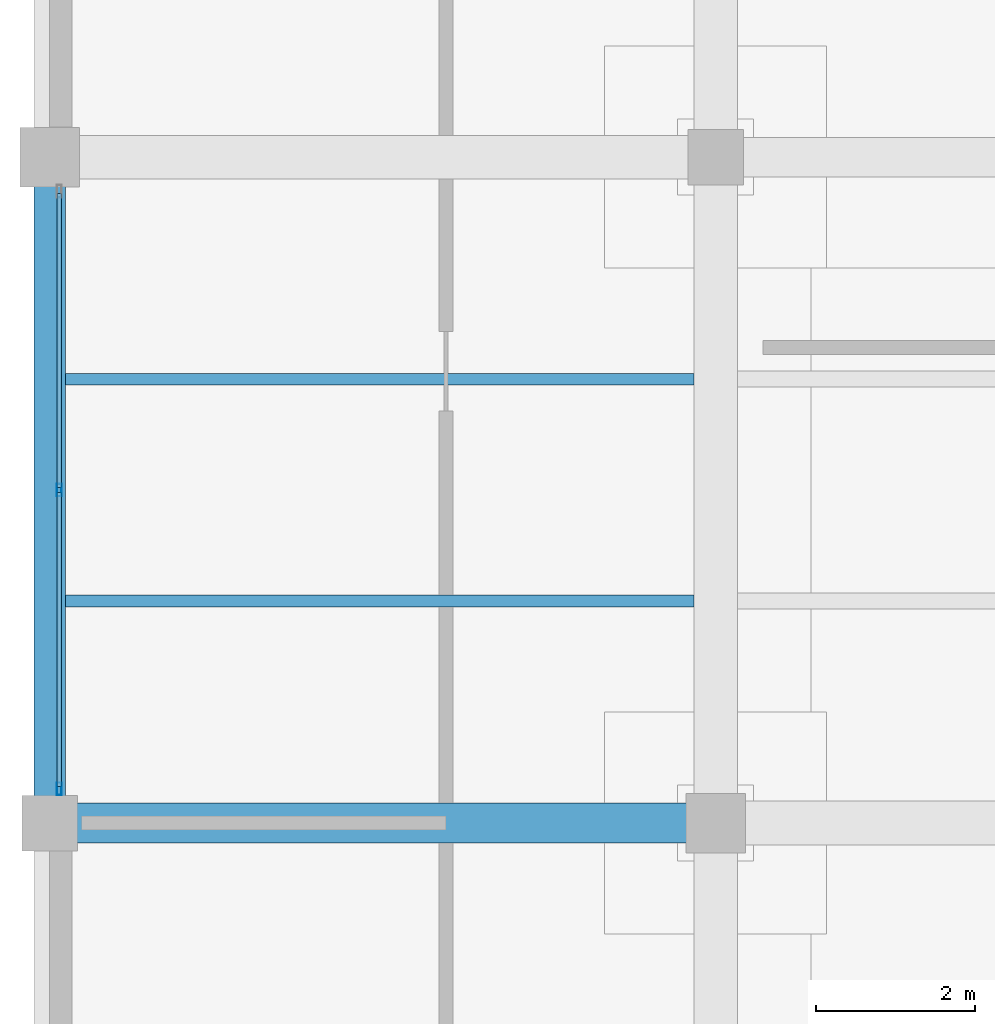
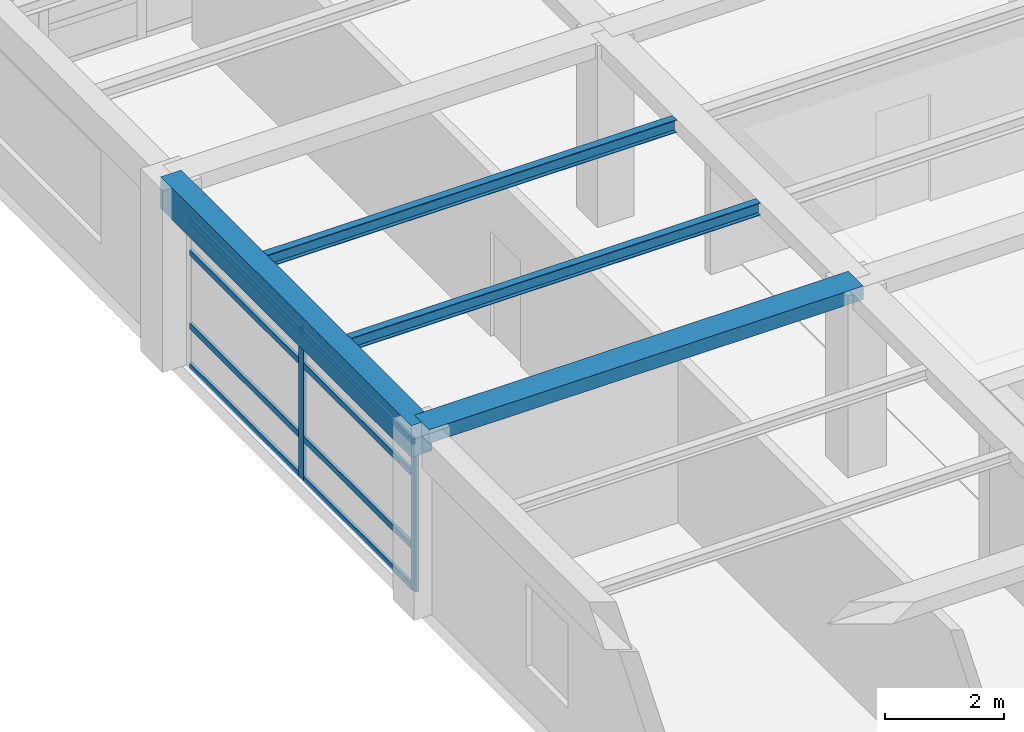
# One storey, part 8 of 31: 10 members, 4 beams, 1 element without a shape of its own.
"""IFC4 building model written with IfcOpenShell, lengths in metres."""

from ifc_helpers import new_model, si_unit, direction, frame, origin, origin_2d, place, context, subcontext, project, spatial, rectangle, hollow_rectangle, i_section, extrude, material, material_profile, profile_set, type_object, element, aggregate, save


model = new_model("IFC4")

# Units and contexts
model_context = context("Model", 3, precision=1e-05, world=origin(), true_north=direction((0.0, 1.0)))
body_context = subcontext(model_context, "Body", "Model", "MODEL_VIEW")
ifc_project = project(units=[si_unit("LENGTHUNIT", "METRE"), si_unit("AREAUNIT", "SQUARE_METRE"), si_unit("VOLUMEUNIT", "CUBIC_METRE"), si_unit("PLANEANGLEUNIT", "RADIAN"), si_unit("MASSUNIT", "GRAM", prefix="KILO")], contexts=[model_context])

# Site, building, storey
site_placement = place(None, origin())
site = spatial("IfcSite", under=ifc_project, at=site_placement, CompositionType="ELEMENT")
building_placement = place(site_placement, origin())
building = spatial("IfcBuilding", under=site, at=building_placement, Name="Almacenes y Pasaje Nevantli", CompositionType="ELEMENT")
storey_placement = place(building_placement, frame((0.0, 0.0, 34.699951171875)))
storey = spatial("IfcBuildingStorey", under=building, at=storey_placement, Name="L08", CompositionType="ELEMENT", Elevation=34.699951171875)

# Beams
ifc_material_1 = material(Name="Concrete C35/45", Category="concrete")
ifc_material_profile_1 = material_profile(ifc_material_1, rectangle(XDim=0.39990234375, YDim=0.64990234375, at=origin_2d()), Name="RC-BM-400x650")
ifc_profile_set_1 = profile_set([ifc_material_profile_1], Name="Concrete C35/45")
beam_type_1 = type_object("IfcBeamType", Name="BM-RC-400x650", PredefinedType="SPANDREL", material=ifc_profile_set_1)
beam_1_placement = place(storey_placement, frame((109.199951171875, 84.0, 3.39501953125), z_axis=(0.0, 1.0, 0.0), x_axis=(-1.0, 0.0, 0.0)))
element("IfcBeam", 1, at=beam_1_placement, inside=storey, type_object=beam_type_1, Name="L08 North-South Reinforced Concrete Beam #3717", PredefinedType="SPANDREL", context=body_context, shape_type="SweptSolid", body=[
    extrude(rectangle(XDim=0.39990234375, YDim=0.64990234375, at=origin_2d()), origin(), (0.0, 0.0, 1.0), 8.39990234375),
])
ifc_material_2 = material(Name="Concrete C35/45", Category="concrete")
ifc_material_profile_2 = material_profile(ifc_material_2, rectangle(XDim=0.5, YDim=0.280029296875, at=origin_2d()), Name="RC-BM-500x280")
ifc_profile_set_2 = profile_set([ifc_material_profile_2], Name="Concrete C35/45")
beam_type_2 = type_object("IfcBeamType", Name="BM-RC-500x280", PredefinedType="BEAM", material=ifc_profile_set_2)
beam_2_placement = place(storey_placement, frame((109.199951171875, 84.0, 3.580078125), z_axis=(1.0, 0.0, 0.0), x_axis=(0.0, 1.0, 0.0)))
element("IfcBeam", 2, at=beam_2_placement, inside=storey, type_object=beam_type_2, Name="L08 East-West Reinforced Concrete Beam #3697", PredefinedType="BEAM", context=body_context, shape_type="SweptSolid", body=[
    extrude(rectangle(XDim=0.5, YDim=0.280029296875, at=origin_2d()), origin(), (0.0, 0.0, 1.0), 8.400146484375),
])
ifc_material_3 = material(Name="Steel ASTM A992", Category="steel")
ifc_material_profile_3 = material_profile(ifc_material_3, i_section(OverallWidth=0.14697265625, OverallDepth=0.257080078125, WebThickness=0.006591796875, FlangeThickness=0.01123046875, at=origin_2d()), Name="IR 254x38.7")
ifc_profile_set_3 = profile_set([ifc_material_profile_3], Name="Steel ASTM A992")
beam_type_3 = type_object("IfcBeamType", Name="BM-STL-IR-254x38p7", PredefinedType="JOIST", material=ifc_profile_set_3)
for number, where, z_axis, x_axis, name in (
    (3, (109.39990234375, 86.800048828125, 3.58349609375), (1.0, 0.0, 0.0), (0.0, 1.0, 0.0), "L08 Secondary Steel Floor Joist #1425"),
    (4, (109.39990234375, 89.60009765625, 3.58349609375), (1.0, 0.0, 0.0), (0.0, 1.0, 0.0), "L08 Secondary Steel Floor Joist #1426"),
):
    element("IfcBeam", number, at=place(storey_placement, frame(where, z_axis=z_axis, x_axis=x_axis)), inside=storey, type_object=beam_type_3, Name=name, PredefinedType="JOIST", context=body_context, shape_type="SweptSolid", body=[
        extrude(i_section(OverallWidth=0.14697265625, OverallDepth=0.257080078125, WebThickness=0.006591796875, FlangeThickness=0.01123046875, at=origin_2d()), origin(), (0.0, 0.0, 1.0), 7.925048828125),
    ])

# Curtain wall, members
ifc_material_4 = material(Name="Thermally Broken Aluminium and Low-E Glass", Category="aluminium")
curtain_wall_type = type_object("IfcCurtainWallType", Name="CW-UNIT-TOWER", PredefinedType="USERDEFINED", material=ifc_material_4)
curtain_wall_placement = place(storey_placement, origin())
curtain_wall = element("IfcCurtainWall", 5, at=curtain_wall_placement, inside=storey, type_object=curtain_wall_type, Name="L08 Tower West Curtain Wall Bay 11", ObjectType="UNITIZED CURTAIN WALL", PredefinedType="USERDEFINED")
ifc_material_5 = material(Name="Thermally Broken Anodized Aluminium", Category="aluminium")
ifc_material_profile_4 = material_profile(ifc_material_5, hollow_rectangle(XDim=0.06005859375, YDim=0.159912109375, WallThickness=0.00390625, at=origin_2d()), Name="ALU-MUL-60x160")
ifc_profile_set_4 = profile_set([ifc_material_profile_4], Name="Thermally Broken Anodized Aluminium")
member_type_1 = type_object("IfcMemberType", Name="CW-MUL-180", PredefinedType="MULLION", material=ifc_profile_set_4)
member_1_placement = place(storey_placement, frame((109.320068359375, 84.429931640625, 0.0), z_axis=(0.0, 0.0, 1.0), x_axis=(-1.0, 0.0, 0.0)))
member_1 = element("IfcMember", 6, at=member_1_placement, type_object=member_type_1, Name="CW-L08-129 mullion 1", PredefinedType="MULLION", context=body_context, shape_type="SweptSolid", body=[
    extrude(hollow_rectangle(XDim=0.06005859375, YDim=0.159912109375, WallThickness=0.00390625, at=origin_2d()), origin(), (0.0, 0.0, 1.0), 3.0400390625),
])
member_2_placement = place(storey_placement, frame((109.320068359375, 88.199951171875, 0.0), z_axis=(0.0, 0.0, 1.0), x_axis=(-1.0, 0.0, 0.0)))
member_2 = element("IfcMember", 7, at=member_2_placement, type_object=member_type_1, Name="CW-L08-129 mullion 2", PredefinedType="MULLION", context=body_context, shape_type="SweptSolid", body=[
    extrude(hollow_rectangle(XDim=0.06005859375, YDim=0.159912109375, WallThickness=0.00390625, at=origin_2d()), origin(), (0.0, 0.0, 1.0), 3.0400390625),
])
ifc_material_6 = material(Name="Thermally Broken Anodized Aluminium", Category="aluminium")
ifc_material_profile_5 = material_profile(ifc_material_6, hollow_rectangle(XDim=0.06005859375, YDim=0.1201171875, WallThickness=0.00341796875, at=origin_2d()), Name="ALU-TRN-60x120")
ifc_profile_set_5 = profile_set([ifc_material_profile_5], Name="Thermally Broken Anodized Aluminium")
member_type_2 = type_object("IfcMemberType", Name="CW-TRN-130", PredefinedType="USERDEFINED", material=ifc_profile_set_5)
member_3_placement = place(storey_placement, frame((109.320068359375, 84.4599609375, 0.030029296875), z_axis=(0.0, 1.0, 0.0), x_axis=(-1.0, 0.0, 0.0)))
member_3 = element("IfcMember", 8, at=member_3_placement, type_object=member_type_2, Name="CW-L08-129 transom 1.1", ObjectType="TRANSOM", PredefinedType="USERDEFINED", context=body_context, shape_type="SweptSolid", body=[
    extrude(hollow_rectangle(XDim=0.06005859375, YDim=0.1201171875, WallThickness=0.00341796875, at=origin_2d()), origin(), (0.0, 0.0, 1.0), 3.7099609375),
])
member_4_placement = place(storey_placement, frame((109.320068359375, 84.4599609375, 0.85009765625), z_axis=(0.0, 1.0, 0.0), x_axis=(-1.0, 0.0, 0.0)))
member_4 = element("IfcMember", 9, at=member_4_placement, type_object=member_type_2, Name="CW-L08-129 transom 1.2", ObjectType="TRANSOM", PredefinedType="USERDEFINED", context=body_context, shape_type="SweptSolid", body=[
    extrude(hollow_rectangle(XDim=0.06005859375, YDim=0.1201171875, WallThickness=0.00341796875, at=origin_2d()), origin(), (0.0, 0.0, 1.0), 3.7099609375),
])
member_5_placement = place(storey_placement, frame((109.320068359375, 84.4599609375, 2.35009765625), z_axis=(0.0, 1.0, 0.0), x_axis=(-1.0, 0.0, 0.0)))
member_5 = element("IfcMember", 10, at=member_5_placement, type_object=member_type_2, Name="CW-L08-129 transom 1.3", ObjectType="TRANSOM", PredefinedType="USERDEFINED", context=body_context, shape_type="SweptSolid", body=[
    extrude(hollow_rectangle(XDim=0.06005859375, YDim=0.1201171875, WallThickness=0.00341796875, at=origin_2d()), origin(), (0.0, 0.0, 1.0), 3.7099609375),
])
member_6_placement = place(storey_placement, frame((109.320068359375, 84.4599609375, 3.010009765625), z_axis=(0.0, 1.0, 0.0), x_axis=(-1.0, 0.0, 0.0)))
member_6 = element("IfcMember", 11, at=member_6_placement, type_object=member_type_2, Name="CW-L08-129 transom 1.4", ObjectType="TRANSOM", PredefinedType="USERDEFINED", context=body_context, shape_type="SweptSolid", body=[
    extrude(hollow_rectangle(XDim=0.06005859375, YDim=0.1201171875, WallThickness=0.00341796875, at=origin_2d()), origin(), (0.0, 0.0, 1.0), 3.7099609375),
])
member_7_placement = place(storey_placement, frame((109.320068359375, 88.22998046875, 0.030029296875), z_axis=(0.0, 1.0, 0.0), x_axis=(-1.0, 0.0, 0.0)))
member_7 = element("IfcMember", 12, at=member_7_placement, type_object=member_type_2, Name="CW-L08-129 transom 2.1", ObjectType="TRANSOM", PredefinedType="USERDEFINED", context=body_context, shape_type="SweptSolid", body=[
    extrude(hollow_rectangle(XDim=0.06005859375, YDim=0.1201171875, WallThickness=0.00341796875, at=origin_2d()), origin(), (0.0, 0.0, 1.0), 3.7099609375),
])
member_8_placement = place(storey_placement, frame((109.320068359375, 88.22998046875, 0.85009765625), z_axis=(0.0, 1.0, 0.0), x_axis=(-1.0, 0.0, 0.0)))
member_8 = element("IfcMember", 13, at=member_8_placement, type_object=member_type_2, Name="CW-L08-129 transom 2.2", ObjectType="TRANSOM", PredefinedType="USERDEFINED", context=body_context, shape_type="SweptSolid", body=[
    extrude(hollow_rectangle(XDim=0.06005859375, YDim=0.1201171875, WallThickness=0.00341796875, at=origin_2d()), origin(), (0.0, 0.0, 1.0), 3.7099609375),
])
member_9_placement = place(storey_placement, frame((109.320068359375, 88.22998046875, 2.35009765625), z_axis=(0.0, 1.0, 0.0), x_axis=(-1.0, 0.0, 0.0)))
member_9 = element("IfcMember", 14, at=member_9_placement, type_object=member_type_2, Name="CW-L08-129 transom 2.3", ObjectType="TRANSOM", PredefinedType="USERDEFINED", context=body_context, shape_type="SweptSolid", body=[
    extrude(hollow_rectangle(XDim=0.06005859375, YDim=0.1201171875, WallThickness=0.00341796875, at=origin_2d()), origin(), (0.0, 0.0, 1.0), 3.7099609375),
])
member_10_placement = place(storey_placement, frame((109.320068359375, 88.22998046875, 3.010009765625), z_axis=(0.0, 1.0, 0.0), x_axis=(-1.0, 0.0, 0.0)))
member_10 = element("IfcMember", 15, at=member_10_placement, type_object=member_type_2, Name="CW-L08-129 transom 2.4", ObjectType="TRANSOM", PredefinedType="USERDEFINED", context=body_context, shape_type="SweptSolid", body=[
    extrude(hollow_rectangle(XDim=0.06005859375, YDim=0.1201171875, WallThickness=0.00341796875, at=origin_2d()), origin(), (0.0, 0.0, 1.0), 3.7099609375),
])
aggregate(curtain_wall, [member_1, member_2, member_3, member_4, member_5, member_6, member_7, member_8, member_9, member_10])

save(model, "model.ifc")
